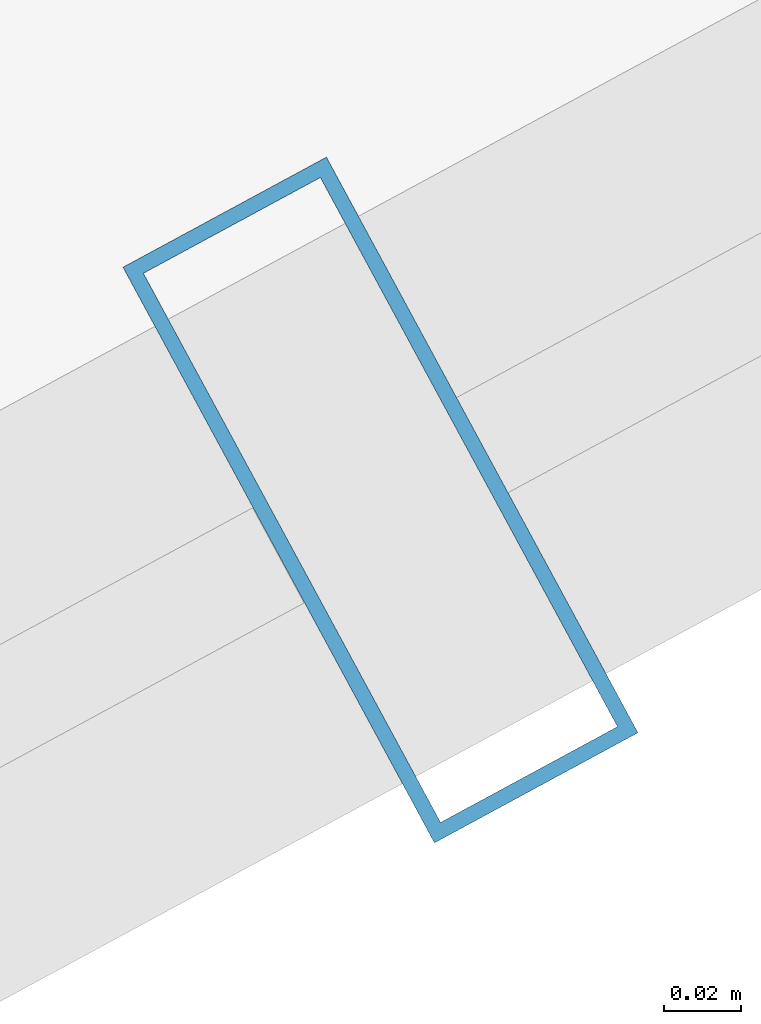
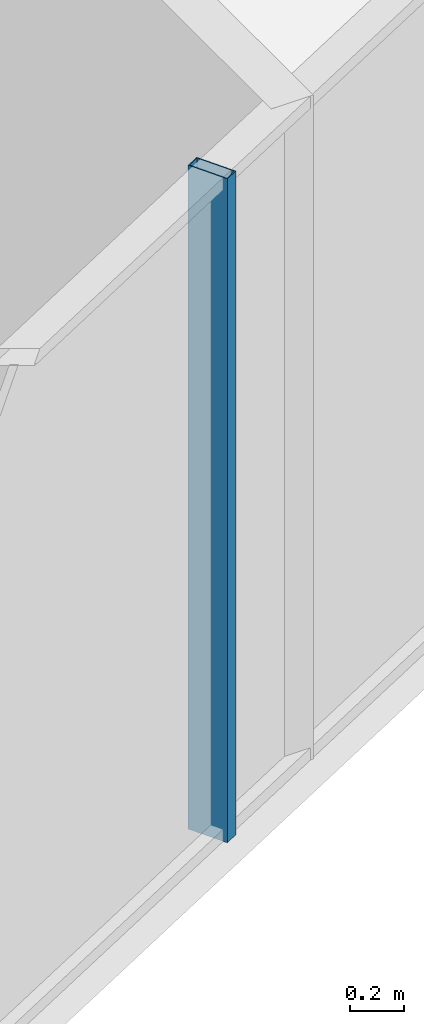
# One storey, part 7 of 30: 1 member, 1 element without a shape of its own.
"""IFC4 building model written with IfcOpenShell, lengths in metres."""

from ifc_helpers import new_model, si_unit, direction, frame, origin, origin_2d, place, context, subcontext, project, spatial, hollow_rectangle, extrude, source, transform, mapped, material, layer, layer_set, material_profile, profile_set, type_object, element, aggregate, save


model = new_model("IFC4")

# Units and contexts
model_context = context("Model", 3, precision=1e-05, world=origin(), true_north=direction((0.0, 1.0)))
body_context = subcontext(model_context, "Body", "Model", "MODEL_VIEW")
ifc_project = project(units=[si_unit("LENGTHUNIT", "METRE"), si_unit("AREAUNIT", "SQUARE_METRE"), si_unit("VOLUMEUNIT", "CUBIC_METRE"), si_unit("PLANEANGLEUNIT", "RADIAN"), si_unit("MASSUNIT", "GRAM", prefix="KILO")], contexts=[model_context])

# Site, building, storey
site_placement = place(None, origin())
site = spatial("IfcSite", under=ifc_project, at=site_placement, CompositionType="ELEMENT")
building_placement = place(site_placement, origin())
building = spatial("IfcBuilding", under=site, at=building_placement, Name="Veraguas Prism Commons", CompositionType="ELEMENT")
storey_placement = place(building_placement, frame((0.0, 0.0, 123.0)))
storey = spatial("IfcBuildingStorey", under=building, at=storey_placement, Name="L34", CompositionType="ELEMENT", Elevation=123.0)

# Curtain wall, member
ifc_material = material(Name="Anodised aluminium EN AW-6063 T6", Category="aluminium")
ifc_layer = layer(ifc_material, 0.169921875, Name="Unitised Flush Curtain Wall Zone 2", Category="aluminium")
ifc_layer_set = layer_set([ifc_layer], Name="Anodised aluminium EN AW-6063 T6")
curtain_wall_type = type_object("IfcCurtainWallType", Name="Unitised Flush Curtain Wall Zone 2", PredefinedType="NOTDEFINED", material=ifc_layer_set)
curtain_wall_placement = place(storey_placement, origin())
curtain_wall = element("IfcCurtainWall", 1, at=curtain_wall_placement, inside=storey, type_object=curtain_wall_type, Name="Tower Facade Curtain Wall L34-F5", PredefinedType="NOTDEFINED")
ifc_material_profile = material_profile(ifc_material, hollow_rectangle(XDim=0.06005859375, YDim=0.169921875, WallThickness=0.00390625, at=origin_2d()), Name="AL60X170X4")
ifc_profile_set = profile_set([ifc_material_profile], Name="Anodised aluminium EN AW-6063 T6")
member_type = type_object("IfcMemberType", Name="Curtain Wall Mullion Lower AL 60x170x4", PredefinedType="MULLION", material=ifc_profile_set)
shared_shape = source(origin(), body_context, "Body", "SweptSolid", [
    extrude(hollow_rectangle(XDim=0.06005859375, YDim=0.169921875, WallThickness=0.00390625, at=origin_2d()), origin(), (0.0, 0.0, 1.0), 3.0),
])
member_placement = place(storey_placement, frame((33.129638671875, 7.12939453125, 0.0), z_axis=(0.0, 0.0, 1.0), x_axis=(0.879484156418, 0.475928165389, 0.0)))
member = element("IfcMember", 2, at=member_placement, type_object=member_type, Name="CW-Z2 Mullion 3", PredefinedType="MULLION", context=body_context, shape_type="MappedRepresentation", body=[
    mapped(shared_shape, transform((0.0, 0.0, 0.0), scale=1.0)),
])
aggregate(curtain_wall, [member])

save(model, "model.ifc")
